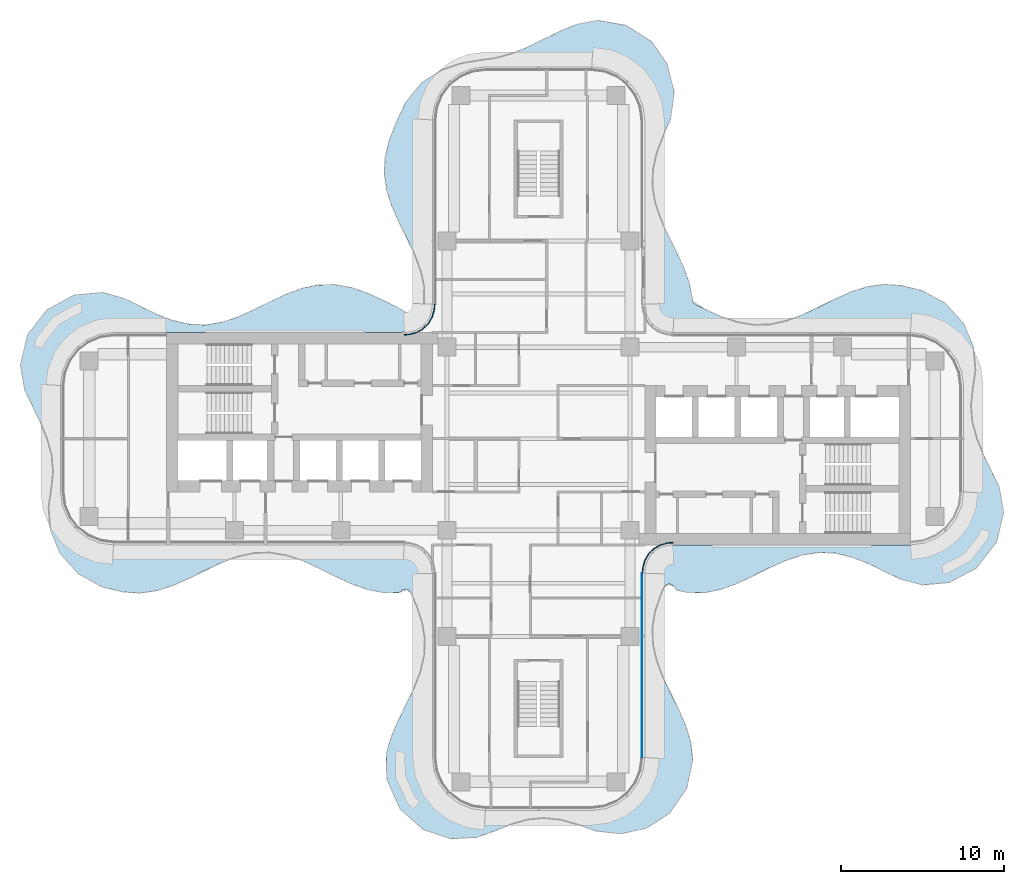
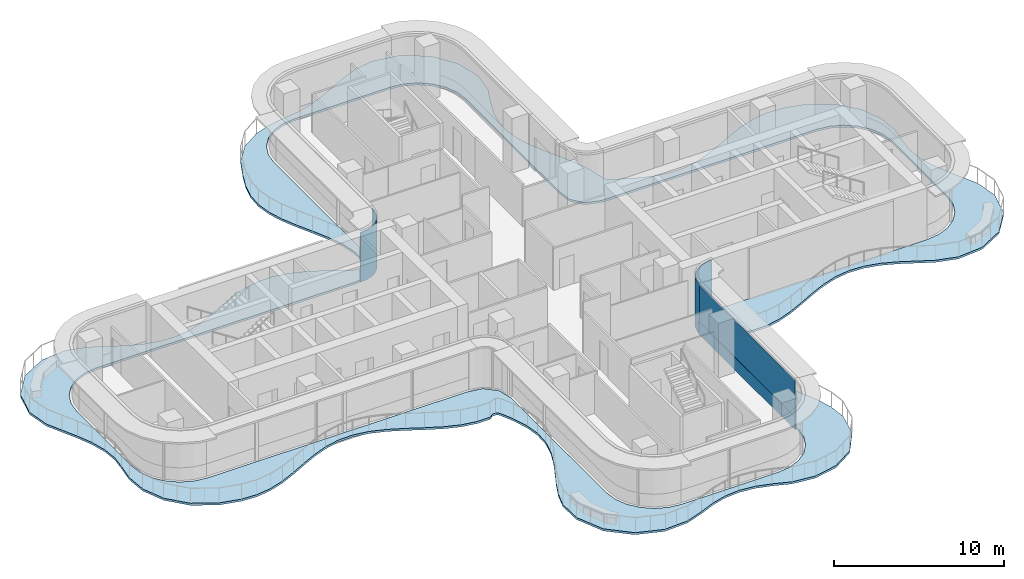
# One storey, part 9 of 16: 4 plates, 1 slab, 3 elements without a shape of their own.
"""IFC4 building model written with IfcOpenShell, lengths in metres."""

from ifc_helpers import new_model, si_unit, direction, frame, origin, place, context, subcontext, project, spatial, polyline, outline, extrude, source, transform, mapped, material, layer, layer_set, type_object, element, aggregate, save


model = new_model("IFC4")

# Units and contexts
model_context = context("Model", 3, precision=1e-05, world=origin(), true_north=direction((0.0, 1.0)))
body_context = subcontext(model_context, "Body", "Model", "MODEL_VIEW")
ifc_project = project(units=[si_unit("LENGTHUNIT", "METRE"), si_unit("AREAUNIT", "SQUARE_METRE"), si_unit("VOLUMEUNIT", "CUBIC_METRE"), si_unit("PLANEANGLEUNIT", "RADIAN"), si_unit("MASSUNIT", "GRAM", prefix="KILO")], contexts=[model_context])

# Site, building, storey
site_placement = place(None, origin())
site = spatial("IfcSite", under=ifc_project, at=site_placement, CompositionType="ELEMENT")
building_placement = place(site_placement, origin())
building = spatial("IfcBuilding", under=site, at=building_placement, Name="Trellis Farm Tower", CompositionType="ELEMENT")
storey_placement = place(building_placement, frame((0.0, 0.0, 263.60009765625)))
storey = spatial("IfcBuildingStorey", under=building, at=storey_placement, Name="L59", CompositionType="ELEMENT", Elevation=263.60009765625)

# Slab
ifc_material_1 = material(Name="Concrete C40/50", Category="concrete")
ifc_layer_1 = layer(ifc_material_1, 0.14990234375)
ifc_layer_set_1 = layer_set([ifc_layer_1], Name="Balcony slab 150")
slab_type = type_object("IfcSlabType", Name="Balcony slab 150", PredefinedType="FLOOR", material=ifc_layer_set_1)
slab_placement = place(storey_placement, frame((0.0, 0.0, -0.150146484375)))
element("IfcSlab", 1, at=slab_placement, inside=storey, type_object=slab_type, Name="Balcony slab", PredefinedType="FLOOR", context=body_context, shape_type="SweptSolid", body=[
    extrude(outline(polyline([(-29.808349609375, -2.999755859375), (-29.70458984375, -2.034423828125), (-29.70458984375, -2.020263671875), (-29.787841796875, -1.034423828125), (-29.790283203125, -1.02099609375), (-30.0732421875, 0.015625), (-30.076416015625, 0.02490234375), (-30.4853515625, 1.004150390625), (-30.487060546875, 1.008056640625), (-31.43701171875, 2.966552734375), (-31.449951171875, 3.0068359375), (-31.699951171875, 4.47998046875), (-31.701904296875, 4.5107421875), (-31.700439453125, 4.54931640625), (-31.6962890625, 4.5791015625), (-31.27197265625, 6.326416015625), (-31.26123046875, 6.3564453125), (-31.243408203125, 6.393310546875), (-31.226318359375, 6.42041015625), (-30.095458984375, 7.8642578125), (-30.07421875, 7.886474609375), (-30.043701171875, 7.912109375), (-30.01806640625, 7.929443359375), (-28.444580078125, 8.777099609375), (-28.416748046875, 8.788818359375), (-28.379150390625, 8.800048828125), (-28.349365234375, 8.805908203125), (-26.73974609375, 8.94921875), (-26.713134765625, 8.94921875), (-26.6787109375, 8.946044921875), (-26.652099609375, 8.941162109375), (-25.370849609375, 8.58642578125), (-25.34521484375, 8.57666015625), (-23.39501953125, 7.625), (-23.38916015625, 7.622314453125), (-22.411376953125, 7.242919921875), (-22.401123046875, 7.23974609375), (-21.361083984375, 7.000244140625), (-21.346923828125, 6.99853515625), (-20.36376953125, 6.964111328125), (-20.349365234375, 6.965087890625), (-19.372802734375, 7.1220703125), (-19.361328125, 7.124755859375), (-18.418701171875, 7.434814453125), (-18.41162109375, 7.437744140625), (-17.4091796875, 7.886474609375), (-17.40625, 7.8876953125), (-16.408203125, 8.385498046875), (-16.405029296875, 8.38720703125), (-15.42138671875, 8.848876953125), (-15.4091796875, 8.85400390625), (-14.434814453125, 9.210205078125), (-14.413330078125, 9.21630859375), (-13.446044921875, 9.414306640625), (-13.417724609375, 9.41748046875), (-12.45068359375, 9.4287109375), (-12.421630859375, 9.42626953125), (-11.447509765625, 9.246826171875), (-11.4248046875, 9.24072265625), (-10.44091796875, 8.895263671875), (-10.427490234375, 8.889892578125), (-9.43505859375, 8.430908203125), (-9.43017578125, 8.4287109375), (-8.462158203125, 7.937255859375), (-8.4501953125, 7.930419921875), (-7.977783203125, 7.633544921875), (-7.953369140625, 7.62353515625), (-7.739013671875, 7.579345703125), (-7.71240234375, 7.57861328125), (-7.47802734375, 7.615234375), (-7.461181640625, 7.6201171875), (-7.333984375, 7.672607421875), (-7.305908203125, 7.693115234375), (-7.216552734375, 7.798095703125), (-7.206787109375, 7.812744140625), (-7.0078125, 8.207763671875), (-7.00146484375, 8.22509765625), (-6.96826171875, 8.373291015625), (-6.96630859375, 8.39208984375), (-6.995849609375, 9.3017578125), (-6.99755859375, 9.315185546875), (-7.19970703125, 10.24267578125), (-7.20263671875, 10.252685546875), (-7.586181640625, 11.279296875), (-7.588623046875, 11.28515625), (-8.055419921875, 12.267822265625), (-8.055908203125, 12.26904296875), (-8.547119140625, 13.25537109375), (-8.550048828125, 13.26171875), (-8.990478515625, 14.260009765625), (-8.996337890625, 14.275390625), (-9.2978515625, 15.22900390625), (-9.303466796875, 15.253173828125), (-9.441162109375, 16.219482421875), (-9.4423828125, 16.248779296875), (-9.38916015625, 17.2177734375), (-9.38525390625, 17.2451171875), (-9.14599609375, 18.2236328125), (-9.14013671875, 18.2421875), (-8.744384765625, 19.2607421875), (-8.74072265625, 19.269287109375), (-8.144287109375, 20.56494140625), (-8.123779296875, 20.597412109375), (-7.1650390625, 21.766845703125), (-7.12939453125, 21.798095703125), (-5.945556640625, 22.552001953125), (-5.91357421875, 22.5673828125), (-4.778564453125, 22.95556640625), (-4.755615234375, 22.961181640625), (-3.67919921875, 23.147216796875), (-3.673828125, 23.148193359375), (-2.649658203125, 23.287353515625), (-2.639892578125, 23.289306640625), (-1.65087890625, 23.55908203125), (-1.641845703125, 23.56201171875), (-0.62109375, 23.985107421875), (-0.61669921875, 23.987060546875), (1.3544921875, 24.952392578125), (1.36376953125, 24.95654296875), (2.33056640625, 25.3505859375), (2.359130859375, 25.359130859375), (3.56689453125, 25.590087890625), (3.593994140625, 25.5927734375), (3.628662109375, 25.593017578125), (3.655517578125, 25.5908203125), (5.3525390625, 25.295654296875), (5.381591796875, 25.28759765625), (5.417724609375, 25.2734375), (5.4443359375, 25.259765625), (6.872802734375, 24.337158203125), (6.89599609375, 24.31884765625), (6.923583984375, 24.2919921875), (6.942626953125, 24.269287109375), (7.861083984375, 22.931884765625), (7.87451171875, 22.908203125), (7.888916015625, 22.875732421875), (7.897705078125, 22.85009765625), (8.30029296875, 21.197021484375), (8.30419921875, 21.1689453125), (8.30615234375, 21.13232421875), (8.3046875, 21.103515625), (8.085693359375, 19.604248046875), (8.0751953125, 19.56640625), (7.615966796875, 18.5), (7.61474609375, 18.497314453125), (7.228515625, 17.489501953125), (7.225341796875, 17.479248046875), (7.000244140625, 16.486083984375), (6.99853515625, 16.47216796875), (6.964111328125, 15.48876953125), (6.965087890625, 15.474365234375), (7.1220703125, 14.497802734375), (7.124755859375, 14.486328125), (7.434814453125, 13.543701171875), (7.437744140625, 13.53662109375), (7.886474609375, 12.5341796875), (7.8876953125, 12.53125), (8.387451171875, 11.529541015625), (8.388916015625, 11.526123046875), (8.854736328125, 10.5322265625), (8.85986328125, 10.519775390625), (9.21728515625, 9.534912109375), (9.223388671875, 9.5126953125), (9.445068359375, 8.379638671875), (9.46630859375, 8.3408203125), (9.591064453125, 8.221435546875), (9.609375, 8.20849609375), (10.169921875, 7.9287109375), (10.17236328125, 7.927490234375), (11.175048828125, 7.471435546875), (11.18212890625, 7.468505859375), (12.18017578125, 7.132568359375), (12.19189453125, 7.129638671875), (13.181884765625, 6.96630859375), (13.1962890625, 6.965087890625), (14.1767578125, 6.995849609375), (14.190673828125, 6.997802734375), (15.166259765625, 7.214111328125), (15.176513671875, 7.217041015625), (16.154296875, 7.586181640625), (16.16015625, 7.588623046875), (17.142822265625, 8.055419921875), (17.14404296875, 8.055908203125), (18.13037109375, 8.547119140625), (18.13671875, 8.550048828125), (19.135009765625, 8.990478515625), (19.150390625, 8.996337890625), (20.10400390625, 9.2978515625), (20.128173828125, 9.303466796875), (21.09423828125, 9.441162109375), (21.1240234375, 9.4423828125), (22.12451171875, 9.384765625), (22.150390625, 9.381103515625), (23.418212890625, 9.080078125), (23.455322265625, 9.066162109375), (24.878662109375, 8.29248046875), (24.918701171875, 8.2607421875), (26.00830078125, 7.043212890625), (26.03515625, 7.00048828125), (26.613525390625, 5.602783203125), (26.62451171875, 5.556884765625), (26.728515625, 4.193359375), (26.727294921875, 4.160400390625), (26.558837890625, 3.002685546875), (26.558349609375, 2.999755859375), (26.45458984375, 2.034423828125), (26.45458984375, 2.020263671875), (26.537841796875, 1.034423828125), (26.540283203125, 1.02099609375), (26.8232421875, -0.015625), (26.826416015625, -0.02490234375), (27.2353515625, -1.004150390625), (27.237060546875, -1.008056640625), (28.18701171875, -2.966552734375), (28.199951171875, -3.0068359375), (28.449951171875, -4.47998046875), (28.451904296875, -4.5107421875), (28.450439453125, -4.54931640625), (28.4462890625, -4.5791015625), (28.02197265625, -6.326416015625), (28.01123046875, -6.3564453125), (27.993408203125, -6.393310546875), (27.976318359375, -6.42041015625), (26.845458984375, -7.8642578125), (26.82421875, -7.886474609375), (26.793701171875, -7.912109375), (26.76806640625, -7.929443359375), (25.194580078125, -8.777099609375), (25.166748046875, -8.788818359375), (25.129150390625, -8.800048828125), (25.099365234375, -8.805908203125), (23.48974609375, -8.94921875), (23.463134765625, -8.94921875), (23.4287109375, -8.946044921875), (23.402099609375, -8.941162109375), (22.120849609375, -8.58642578125), (22.09521484375, -8.57666015625), (20.14501953125, -7.625), (20.13916015625, -7.622314453125), (19.1611328125, -7.242919921875), (19.1513671875, -7.23974609375), (18.17578125, -7.009033203125), (18.162109375, -7.007080078125), (17.182373046875, -6.960205078125), (17.167724609375, -6.961181640625), (16.178466796875, -7.108642578125), (16.16650390625, -7.111572265625), (15.1689453125, -7.434814453125), (15.161376953125, -7.437744140625), (14.1591796875, -7.886474609375), (14.15625, -7.8876953125), (13.158203125, -8.385498046875), (13.155029296875, -8.38720703125), (12.17138671875, -8.8486328125), (12.1591796875, -8.85400390625), (11.15966796875, -9.21728515625), (11.13818359375, -9.223388671875), (10.19580078125, -9.41455078125), (10.167724609375, -9.41748046875), (9.20703125, -9.4287109375), (9.172607421875, -9.425048828125), (8.44677734375, -9.2626953125), (8.340087890625, -9.172119140625), (8.294189453125, -9.057373046875), (8.27392578125, -9.02880859375), (8.163818359375, -8.93408203125), (8.129150390625, -8.917236328125), (7.98828125, -8.891357421875), (7.94970703125, -8.89453125), (7.81494140625, -8.943359375), (7.783447265625, -8.965576171875), (7.685546875, -9.08349609375), (7.675048828125, -9.10009765625), (7.484375, -9.517578125), (7.4814453125, -9.524658203125), (7.132568359375, -10.55517578125), (7.129638671875, -10.56689453125), (6.96630859375, -11.556884765625), (6.965087890625, -11.5712890625), (6.995849609375, -12.5517578125), (6.997802734375, -12.565673828125), (7.214111328125, -13.541259765625), (7.217041015625, -13.551513671875), (7.57470703125, -14.50244140625), (7.5771484375, -14.50830078125), (8.052490234375, -15.511962890625), (8.052978515625, -15.51318359375), (8.547119140625, -16.50537109375), (8.550048828125, -16.51171875), (8.990478515625, -17.510009765625), (8.996337890625, -17.525634765625), (9.3037109375, -18.508056640625), (9.3095703125, -18.5361328125), (9.433349609375, -19.64208984375), (9.430908203125, -19.68994140625), (9.076904296875, -21.3583984375), (9.067626953125, -21.38720703125), (9.052490234375, -21.421875), (9.0380859375, -21.447509765625), (8.009765625, -22.92431640625), (7.989990234375, -22.947509765625), (7.961669921875, -22.974365234375), (7.9375, -22.992919921875), (6.598876953125, -23.826904296875), (6.575439453125, -23.8388671875), (6.543701171875, -23.851806640625), (6.5185546875, -23.859375), (5.021484375, -24.172119140625), (4.9736328125, -24.17431640625), (3.50634765625, -24.005615234375), (3.472412109375, -23.997802734375), (2.374267578125, -23.60107421875), (2.36962890625, -23.599609375), (1.400146484375, -23.31787109375), (1.38720703125, -23.315185546875), (0.3408203125, -23.2041015625), (0.32568359375, -23.2041015625), (-0.65234375, -23.298828125), (-0.664794921875, -23.30126953125), (-1.599365234375, -23.55908203125), (-1.60791015625, -23.56201171875), (-2.622314453125, -23.9814453125), (-2.630126953125, -23.984375), (-3.794921875, -24.392578125), (-3.8369140625, -24.40087890625), (-5.36474609375, -24.478759765625), (-5.393798828125, -24.477294921875), (-5.4296875, -24.47216796875), (-5.457275390625, -24.465576171875), (-7.046630859375, -23.91748046875), (-7.073974609375, -23.905029296875), (-7.107421875, -23.88525390625), (-7.13134765625, -23.86767578125), (-8.468017578125, -22.66650390625), (-8.4892578125, -22.642578125), (-8.513427734375, -22.609375), (-8.529296875, -22.581787109375), (-9.26611328125, -20.898193359375), (-9.275146484375, -20.87060546875), (-9.283203125, -20.833984375), (-9.286865234375, -20.80517578125), (-9.323486328125, -19.31591796875), (-9.31787109375, -19.270751953125), (-9.028564453125, -18.263671875), (-9.022216796875, -18.24560546875), (-8.589599609375, -17.246826171875), (-8.5869140625, -17.240478515625), (-7.6142578125, -15.2451171875), (-7.611572265625, -15.239013671875), (-7.228515625, -14.239501953125), (-7.225341796875, -14.229248046875), (-7.000244140625, -13.236083984375), (-6.99853515625, -13.22216796875), (-6.964111328125, -12.238525390625), (-6.965087890625, -12.224365234375), (-7.108642578125, -11.30322265625), (-7.111572265625, -11.29150390625), (-7.447998046875, -10.259765625), (-7.450927734375, -10.252197265625), (-7.826904296875, -9.41650390625), (-7.836181640625, -9.40087890625), (-7.92431640625, -9.289306640625), (-7.95263671875, -9.267333984375), (-8.07421875, -9.214111328125), (-8.109619140625, -9.2080078125), (-8.2421875, -9.21826171875), (-8.276123046875, -9.2294921875), (-8.38818359375, -9.30078125), (-8.412841796875, -9.326904296875), (-8.423095703125, -9.344970703125), (-8.55224609375, -9.421142578125), (-9.398193359375, -9.4287109375), (-9.427001953125, -9.426025390625), (-10.427490234375, -9.239990234375), (-10.4501953125, -9.23388671875), (-11.423583984375, -8.888916015625), (-11.4365234375, -8.8837890625), (-12.41943359375, -8.42822265625), (-12.42333984375, -8.42626953125), (-13.419921875, -7.9287109375), (-13.42236328125, -7.927490234375), (-14.425048828125, -7.471435546875), (-14.43212890625, -7.468505859375), (-15.43017578125, -7.132568359375), (-15.44189453125, -7.129638671875), (-16.431884765625, -6.96630859375), (-16.4462890625, -6.965087890625), (-17.4267578125, -6.995849609375), (-17.440673828125, -6.997802734375), (-18.416259765625, -7.214111328125), (-18.426513671875, -7.217041015625), (-19.404296875, -7.586181640625), (-19.41015625, -7.588623046875), (-20.392822265625, -8.055419921875), (-20.39404296875, -8.055908203125), (-21.38037109375, -8.547119140625), (-21.386474609375, -8.5498046875), (-22.3671875, -8.98388671875), (-22.38232421875, -8.989501953125), (-23.35400390625, -9.2978515625), (-23.378173828125, -9.303466796875), (-24.34423828125, -9.441162109375), (-24.3740234375, -9.4423828125), (-25.3740234375, -9.384765625), (-25.400634765625, -9.380859375), (-26.71142578125, -9.063720703125), (-26.7490234375, -9.048828125), (-28.17578125, -8.25537109375), (-28.215087890625, -8.2236328125), (-29.2587890625, -7.04296875), (-29.28515625, -7.0009765625), (-29.863525390625, -5.602783203125), (-29.87451171875, -5.556884765625), (-29.978515625, -4.193359375), (-29.977294921875, -4.160400390625), (-29.808837890625, -3.002685546875), (-29.808349609375, -2.999755859375)]), holes=[polyline([(-8.453125, 6.50048828125), (-26.0, 6.50048828125), (-26.84130859375, 6.389892578125), (-27.625244140625, 6.065185546875), (-28.298583984375, 5.548583984375), (-28.815185546875, 4.875244140625), (-29.139892578125, 4.09130859375), (-29.25048828125, 3.25), (-29.25048828125, -3.25), (-29.139892578125, -4.09130859375), (-28.815185546875, -4.875244140625), (-28.298583984375, -5.548583984375), (-27.625244140625, -6.065185546875), (-26.84130859375, -6.389892578125), (-26.0, -6.50048828125), (-8.453125, -6.50048828125), (-8.435791015625, -6.501953125), (-7.531982421875, -6.652587890625), (-7.490478515625, -6.665771484375), (-7.4423828125, -6.689453125), (-7.40673828125, -6.7138671875), (-6.794921875, -7.27783203125), (-6.767578125, -7.311279296875), (-6.740234375, -7.357421875), (-6.723388671875, -7.398193359375), (-6.50439453125, -8.28369140625), (-6.50048828125, -8.31494140625), (-6.50048828125, -19.5), (-6.389892578125, -20.34130859375), (-6.065185546875, -21.125244140625), (-5.548583984375, -21.798583984375), (-4.875244140625, -22.315185546875), (-4.09130859375, -22.639892578125), (-3.25, -22.75048828125), (3.25, -22.75048828125), (4.09130859375, -22.639892578125), (4.875244140625, -22.315185546875), (5.548583984375, -21.798583984375), (6.065185546875, -21.125244140625), (6.389892578125, -20.34130859375), (6.50048828125, -19.5), (6.50048828125, -14.017822265625), (6.50146484375, -8.5390625), (6.50244140625, -8.5205078125), (6.61474609375, -7.626708984375), (6.62548828125, -7.5869140625), (6.6455078125, -7.539306640625), (6.66650390625, -7.50390625), (7.1875, -6.853515625), (7.22021484375, -6.8232421875), (7.265380859375, -6.79248046875), (7.306640625, -6.772705078125), (8.177734375, -6.510009765625), (8.220947265625, -6.503662109375), (19.881591796875, -6.50048828125), (22.75, -6.50048828125), (23.59130859375, -6.389892578125), (24.375244140625, -6.065185546875), (25.048583984375, -5.548583984375), (25.565185546875, -4.875244140625), (25.889892578125, -4.09130859375), (26.00048828125, -3.25), (26.00048828125, 3.25), (25.889892578125, 4.09130859375), (25.565185546875, 4.875244140625), (25.048583984375, 5.548583984375), (24.375244140625, 6.065185546875), (23.59130859375, 6.389892578125), (22.75, 6.50048828125), (19.881591796875, 6.50048828125), (8.220947265625, 6.503662109375), (8.177734375, 6.510009765625), (7.306640625, 6.772705078125), (7.265380859375, 6.79248046875), (7.22021484375, 6.8232421875), (7.1875, 6.853515625), (6.66650390625, 7.50390625), (6.6455078125, 7.539306640625), (6.62548828125, 7.5869140625), (6.61474609375, 7.626708984375), (6.50244140625, 8.5205078125), (6.50146484375, 8.5390625), (6.50048828125, 14.017822265625), (6.50048828125, 19.5), (6.389892578125, 20.34130859375), (6.065185546875, 21.125244140625), (5.548583984375, 21.798583984375), (4.875244140625, 22.315185546875), (4.09130859375, 22.639892578125), (3.25, 22.75048828125), (-3.25, 22.75048828125), (-4.09130859375, 22.639892578125), (-4.875244140625, 22.315185546875), (-5.548583984375, 21.798583984375), (-6.065185546875, 21.125244140625), (-6.389892578125, 20.34130859375), (-6.50048828125, 19.5), (-6.50048828125, 8.31494140625), (-6.50439453125, 8.28369140625), (-6.723388671875, 7.398193359375), (-6.740234375, 7.357421875), (-6.767578125, 7.311279296875), (-6.794921875, 7.27783203125), (-7.40673828125, 6.7138671875), (-7.4423828125, 6.689453125), (-7.490478515625, 6.665771484375), (-7.531982421875, 6.652587890625), (-8.435791015625, 6.501953125), (-8.453125, 6.50048828125)])]), origin(), (0.0, 0.0, 1.0), 0.150146484375),
])

# Curtain wall, plate
ifc_material_2 = material(Name="Aluminium and glass curtain wall", Category="aluminium")
ifc_layer_2 = layer(ifc_material_2, 0.166015625)
ifc_layer_set_2 = layer_set([ifc_layer_2], Name="WINTER GARDEN CURTAIN WALL CW3")
curtain_wall_type_1 = type_object("IfcCurtainWallType", Name="WINTER GARDEN CURTAIN WALL CW3", PredefinedType="NOTDEFINED", material=ifc_layer_set_2)
placement = place(storey_placement, origin())
curtain_wall_1 = element("IfcCurtainWall", 2, at=placement, inside=storey, type_object=curtain_wall_type_1, Name="CW3 002", PredefinedType="NOTDEFINED")
ifc_material_3 = material(Name="Clear insulated glass", Category="glass")
ifc_layer_3 = layer(ifc_material_3, 0.0458984375)
ifc_layer_set_3 = layer_set([ifc_layer_3], Name="CW3 GLASS PANEL 46")
plate_type_1 = type_object("IfcPlateType", Name="CW3 GLASS PANEL 46", PredefinedType="CURTAIN_PANEL", material=ifc_layer_set_3)
shared_shape_1 = source(origin(), body_context, "Body", "SweptSolid", [
    extrude(outline(polyline([(6.3798828125, -8.2275390625), (6.394287109375, -8.0078125), (6.40966796875, -7.89208984375), (6.52490234375, -7.462158203125), (6.7509765625, -7.070556640625), (7.070556640625, -6.7509765625), (7.462158203125, -6.52490234375), (7.89208984375, -6.40966796875), (8.0078125, -6.394287109375), (8.2275390625, -6.3798828125), (8.22607421875, -6.333984375), (8.003173828125, -6.3486328125), (7.883056640625, -6.364501953125), (7.4443359375, -6.48193359375), (7.04248046875, -6.714111328125), (6.714111328125, -7.04248046875), (6.48193359375, -7.4443359375), (6.364501953125, -7.883056640625), (6.3486328125, -8.003173828125), (6.333984375, -8.22607421875), (6.3798828125, -8.2275390625)])), origin(), (0.0, 0.0, 1.0), 3.5498046875),
])
plate_1 = element("IfcPlate", 3, at=placement, type_object=plate_type_1, Name="PL3 002", PredefinedType="CURTAIN_PANEL", context=body_context, shape_type="MappedRepresentation", body=[
    mapped(shared_shape_1, transform((0.0, 0.0, 0.0))),
])
aggregate(curtain_wall_1, [plate_1])

curtain_wall_2 = element("IfcCurtainWall", 4, at=placement, inside=storey, type_object=curtain_wall_type_1, Name="CW3 004", PredefinedType="NOTDEFINED")
shared_shape_2 = source(origin(), body_context, "Body", "SweptSolid", [
    extrude(outline(polyline([(-6.3798828125, 8.2275390625), (-6.394287109375, 8.0078125), (-6.40966796875, 7.89208984375), (-6.52490234375, 7.462158203125), (-6.7509765625, 7.070556640625), (-7.070556640625, 6.7509765625), (-7.462158203125, 6.52490234375), (-7.89208984375, 6.40966796875), (-8.0078125, 6.394287109375), (-8.2275390625, 6.3798828125), (-8.22607421875, 6.333984375), (-8.003173828125, 6.3486328125), (-7.883056640625, 6.364501953125), (-7.4443359375, 6.48193359375), (-7.04248046875, 6.714111328125), (-6.714111328125, 7.04248046875), (-6.48193359375, 7.4443359375), (-6.364501953125, 7.883056640625), (-6.3486328125, 8.003173828125), (-6.333984375, 8.22607421875), (-6.3798828125, 8.2275390625)])), origin(), (0.0, 0.0, 1.0), 3.5498046875),
])
plate_2 = element("IfcPlate", 5, at=placement, type_object=plate_type_1, Name="PL3 004", PredefinedType="CURTAIN_PANEL", context=body_context, shape_type="MappedRepresentation", body=[
    mapped(shared_shape_2, transform((0.0, 0.0, 0.0))),
])
aggregate(curtain_wall_2, [plate_2])

# Curtain wall, plates
ifc_layer_4 = layer(ifc_material_2, 0.18994140625)
ifc_layer_set_4 = layer_set([ifc_layer_4], Name="RIBBON CURTAIN WALL CW1")
curtain_wall_type_2 = type_object("IfcCurtainWallType", Name="RIBBON CURTAIN WALL CW1", PredefinedType="NOTDEFINED", material=ifc_layer_set_4)
curtain_wall_3 = element("IfcCurtainWall", 6, at=placement, inside=storey, type_object=curtain_wall_type_2, Name="CW1 004", PredefinedType="NOTDEFINED")
ifc_layer_5 = layer(ifc_material_3, 0.0400390625)
ifc_layer_set_5 = layer_set([ifc_layer_5], Name="CW1 GLASS PANEL 40")
plate_type_2 = type_object("IfcPlateType", Name="CW1 GLASS PANEL 40", PredefinedType="CURTAIN_PANEL", material=ifc_layer_set_5)
shared_shape_3 = source(origin(), body_context, "Body", "SweptSolid", [
    extrude(outline(polyline([(6.35009765625, -19.490234375), (6.35009765625, -8.2265625), (6.31005859375, -8.22509765625), (6.31005859375, -19.487548828125), (6.35009765625, -19.490234375)])), origin(), (0.0, 0.0, 1.0), 2.6201171875),
])
plate_3_placement = place(storey_placement, frame((0.0, 0.0, 0.89990234375)))
plate_3 = element("IfcPlate", 7, at=plate_3_placement, type_object=plate_type_2, Name="PL1 004", PredefinedType="CURTAIN_PANEL", context=body_context, shape_type="MappedRepresentation", body=[
    mapped(shared_shape_3, transform((0.0, 0.0, 0.0))),
])
ifc_material_4 = material(Name="Sandstone faced insulated panel", Category="masonry")
ifc_layer_6 = layer(ifc_material_4, 0.050048828125)
ifc_layer_set_6 = layer_set([ifc_layer_6], Name="CW1 STONE SPANDREL PANEL 50")
plate_type_3 = type_object("IfcPlateType", Name="CW1 STONE SPANDREL PANEL 50", PredefinedType="CURTAIN_PANEL", material=ifc_layer_set_6)
shared_shape_4 = source(origin(), body_context, "Body", "SweptSolid", [
    extrude(outline(polyline([(6.35009765625, -19.490234375), (6.35009765625, -8.2265625), (6.300048828125, -8.224853515625), (6.300048828125, -19.48681640625), (6.35009765625, -19.490234375)])), origin(), (0.0, 0.0, 1.0), 0.89990234375),
])
plate_4 = element("IfcPlate", 8, at=placement, type_object=plate_type_3, Name="PS1 004", PredefinedType="CURTAIN_PANEL", context=body_context, shape_type="MappedRepresentation", body=[
    mapped(shared_shape_4, transform((0.0, 0.0, 0.0))),
])
aggregate(curtain_wall_3, [plate_3, plate_4])

save(model, "model.ifc")
